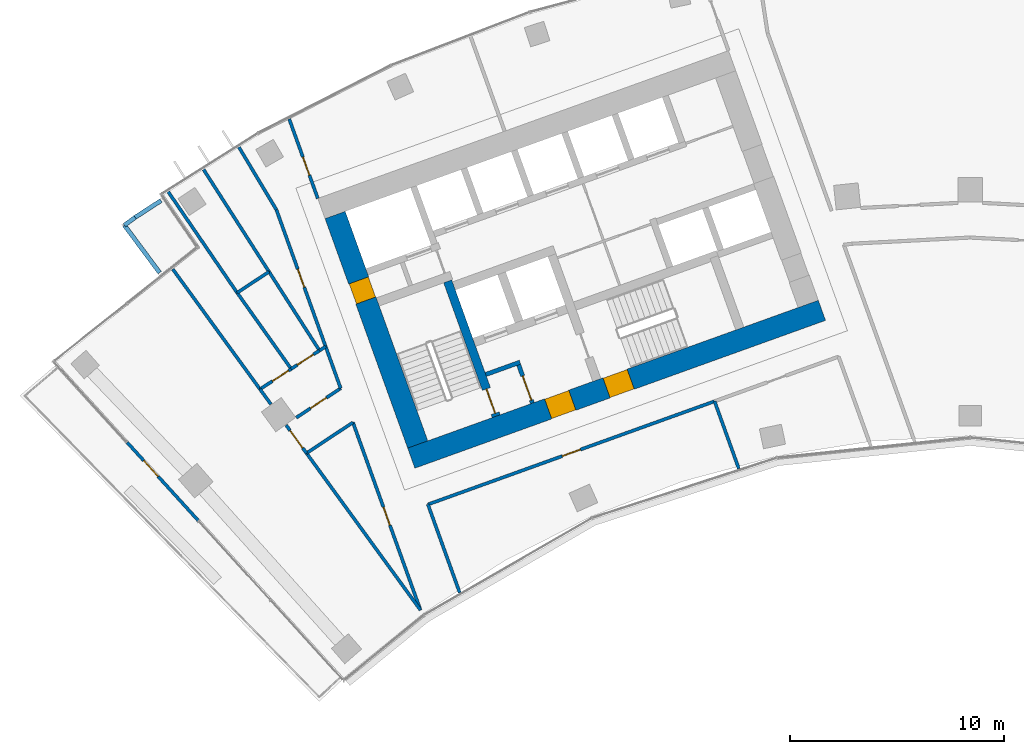
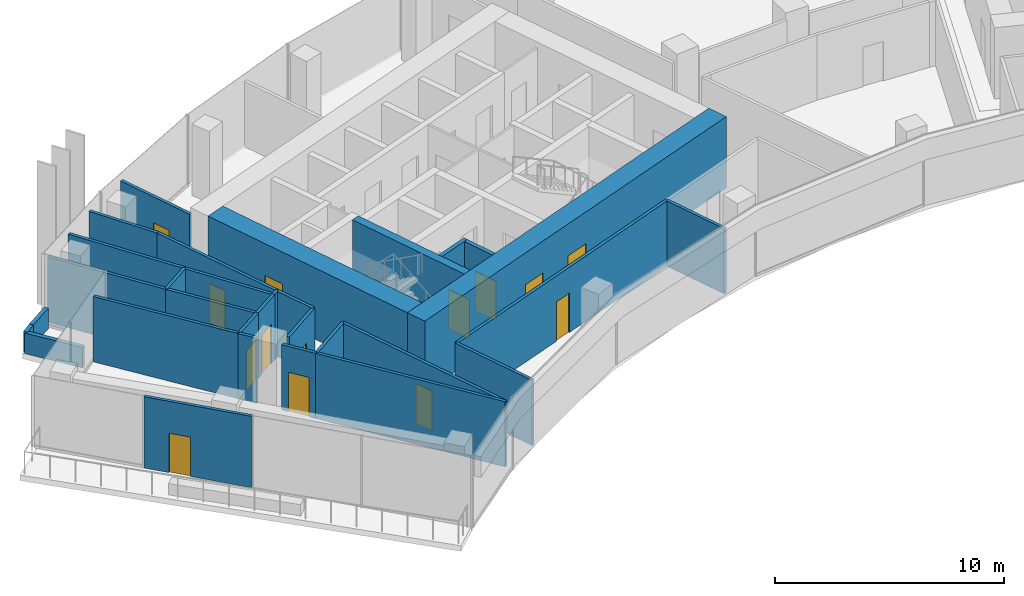
# One storey, part 12 of 19: 31 walls, 14 doors, 14 openings.
"""IFC4 building model written with IfcOpenShell, lengths in metres."""

from ifc_helpers import new_model, si_unit, direction, frame, frame_2d, origin, place, context, subcontext, project, spatial, rectangle, extrude, material, layer, layer_set, type_object, element, fill, save


model = new_model("IFC4")

# Units and contexts
model_context = context("Model", 3, precision=1e-05, world=origin(), true_north=direction((0.0, 1.0)))
body_context = subcontext(model_context, "Body", "Model", "MODEL_VIEW")
ifc_project = project(units=[si_unit("LENGTHUNIT", "METRE"), si_unit("AREAUNIT", "SQUARE_METRE"), si_unit("VOLUMEUNIT", "CUBIC_METRE"), si_unit("PLANEANGLEUNIT", "RADIAN"), si_unit("MASSUNIT", "GRAM", prefix="KILO")], contexts=[model_context])

# Site, building, storey
site_placement = place(None, origin())
site = spatial("IfcSite", under=ifc_project, at=site_placement, CompositionType="ELEMENT")
building_placement = place(site_placement, origin())
building = spatial("IfcBuilding", under=site, at=building_placement, Name="Stone Belt Terrace Tower", CompositionType="ELEMENT")
storey_placement = place(building_placement, frame((0.0, 0.0, 227.60009765625)))
storey = spatial("IfcBuildingStorey", under=building, at=storey_placement, Name="L55", CompositionType="ELEMENT", Elevation=227.60009765625)

# Wall, opening, door
ifc_material_1 = material(Name="Terracotta coloured glazed ceramic", Category="masonry")
ifc_layer_1 = layer(ifc_material_1, 0.14990234375)
ifc_layer_set_1 = layer_set([ifc_layer_1], Name="Ceramic rain-screen wall 150")
wall_type_1 = type_object("IfcWallType", Name="Ceramic rain-screen wall 150", PredefinedType="SOLIDWALL", material=ifc_layer_set_1)
wall_1_placement = place(storey_placement, frame((-39.402587890625, 43.199462890625, 0.0), z_axis=(0.0, 0.0, 1.0), x_axis=(0.672960545532, -0.739678378863, 0.0)))
wall_1 = element("IfcWall", 1, at=wall_1_placement, inside=storey, type_object=wall_type_1, Name="Door wall L55", PredefinedType="SOLIDWALL", context=body_context, shape_type="SweptSolid", body=[
    extrude(rectangle(XDim=4.93994140625, YDim=0.14990234375, at=frame_2d((2.469970703125, 0.0))), origin(), (0.0, 0.0, 1.0), 3.7998046875),
])
opening_1_placement = place(wall_1_placement, frame((1.14990234375, 0.0, 0.0)))
opening_1 = element("IfcOpeningElement", 2, at=opening_1_placement, cuts=wall_1, Name="Opening L55-E01", PredefinedType="OPENING", context=body_context, shape_type="SweptSolid", body=[
    extrude(rectangle(XDim=1.0, YDim=2.10009765625, at=frame_2d((0.5, 1.050048828125))), frame((0.0, 0.0849609375, 0.0), z_axis=(0.0, -1.0, 0.0), x_axis=(1.0, 0.0, 0.0)), (0.0, 0.0, 1.0), 0.169921875),
])
ifc_material_2 = material(Name="Anodised aluminium glazed door", Category="aluminium")
door_type_1 = type_object("IfcDoorType", Name="Terrace door 1000 x 2100", OperationType="NOTDEFINED", PredefinedType="DOOR", material=ifc_material_2)
door_1_placement = place(opening_1_placement, origin())
door_1 = element("IfcDoor", 3, at=door_1_placement, inside=storey, type_object=door_type_1, Name="Terrace door L55", OperationType="SINGLE_SWING_RIGHT", OverallHeight=2.10009765625, OverallWidth=1.0, PredefinedType="DOOR", context=body_context, shape_type="SweptSolid", body=[
    extrude(rectangle(XDim=1.0, YDim=2.10009765625, at=frame_2d((0.5, 1.050048828125))), frame((0.0, 0.02490234375, 0.0), z_axis=(0.0, -1.0, 0.0), x_axis=(1.0, 0.0, 0.0)), (0.0, 0.0, 1.0), 0.050048828125),
])
fill(opening_1, door_1)

# Wall, openings, doors
ifc_material_3 = material(Name="Concrete B60", Category="concrete")
ifc_layer_2 = layer(ifc_material_3, 1.0)
ifc_layer_set_2 = layer_set([ifc_layer_2], Name="Core wall 1000 B60")
wall_type_2 = type_object("IfcWallType", Name="Core wall 1000 B60", PredefinedType="SHEAR", material=ifc_layer_set_2)
wall_2_placement = place(storey_placement, frame((-26.122314453125, 42.462890625, 0.0), z_axis=(0.0, 0.0, 1.0), x_axis=(0.940921428504, 0.338624962727, 0.0)))
wall_2 = element("IfcWall", 4, at=wall_2_placement, inside=storey, type_object=wall_type_2, Name="Core A wall concave L55", PredefinedType="SHEAR", context=body_context, shape_type="SweptSolid", body=[
    extrude(rectangle(XDim=20.400146484375, YDim=1.0, at=frame_2d((10.2001953125, 0.0))), origin(), (0.0, 0.0, 1.0), 3.7998046875),
])
opening_2_placement = place(wall_2_placement, frame((6.800048828125, 0.0, 0.0)))
opening_2 = element("IfcOpeningElement", 5, at=opening_2_placement, cuts=wall_2, Name="Opening L55-C10", PredefinedType="OPENING", context=body_context, shape_type="SweptSolid", body=[
    extrude(rectangle(XDim=1.199951171875, YDim=2.10009765625, at=frame_2d((0.60009765625, 1.050048828125))), frame((0.0, 0.510009765625, 0.0), z_axis=(0.0, -1.0, 0.0), x_axis=(1.0, 0.0, 0.0)), (0.0, 0.0, 1.0), 1.02001953125),
])
opening_3_placement = place(wall_2_placement, frame((9.699951171875, 0.0, 0.0)))
opening_3 = element("IfcOpeningElement", 6, at=opening_3_placement, cuts=wall_2, Name="Opening L55-C12", PredefinedType="OPENING", context=body_context, shape_type="SweptSolid", body=[
    extrude(rectangle(XDim=1.199951171875, YDim=2.10009765625, at=frame_2d((0.60009765625, 1.050048828125))), frame((0.0, 0.510009765625, 0.0), z_axis=(0.0, -1.0, 0.0), x_axis=(1.0, 0.0, 0.0)), (0.0, 0.0, 1.0), 1.02001953125),
])
ifc_material_4 = material(Name="Steel door leaf", Category="steel")
door_type_2 = type_object("IfcDoorType", Name="Fire-fighting lobby door 1200", OperationType="SINGLE_SWING_LEFT", PredefinedType="DOOR", material=ifc_material_4)
door_2_placement = place(opening_2_placement, origin())
door_2 = element("IfcDoor", 7, at=door_2_placement, inside=storey, type_object=door_type_2, Name="Fire-fighting lobby door core A", OperationType="SINGLE_SWING_LEFT", OverallHeight=2.10009765625, OverallWidth=1.199951171875, PredefinedType="DOOR", context=body_context, shape_type="SweptSolid", body=[
    extrude(rectangle(XDim=1.199951171875, YDim=2.10009765625, at=frame_2d((0.60009765625, 1.050048828125))), frame((0.0, 0.47998046875, 0.0), z_axis=(0.0, -1.0, 0.0), x_axis=(1.0, 0.0, 0.0)), (0.0, 0.0, 1.0), 0.9599609375),
])
fill(opening_2, door_2)
door_type_3 = type_object("IfcDoorType", Name="Stair door 1200", OperationType="SINGLE_SWING_LEFT", PredefinedType="DOOR", material=ifc_material_4)
door_3_placement = place(opening_3_placement, origin())
door_3 = element("IfcDoor", 8, at=door_3_placement, inside=storey, type_object=door_type_3, Name="Stair 2 exit door core A", OperationType="SINGLE_SWING_RIGHT", OverallHeight=2.10009765625, OverallWidth=1.199951171875, PredefinedType="DOOR", context=body_context, shape_type="SweptSolid", body=[
    extrude(rectangle(XDim=1.199951171875, YDim=2.10009765625, at=frame_2d((0.60009765625, 1.050048828125))), frame((0.0, 0.47998046875, 0.0), z_axis=(0.0, -1.0, 0.0), x_axis=(1.0, 0.0, 0.0)), (0.0, 0.0, 1.0), 0.9599609375),
])
fill(opening_3, door_3)

# Wall, opening, door
wall_3_placement = place(storey_placement, frame((-25.821044921875, 43.102783203125, 0.0), z_axis=(0.0, 0.0, 1.0), x_axis=(-0.338625431531, 0.940921259788, 0.0)))
wall_3 = element("IfcWall", 9, at=wall_3_placement, inside=storey, type_object=wall_type_2, Name="Core A wall end_a L55", PredefinedType="SHEAR", context=body_context, shape_type="SweptSolid", body=[
    extrude(rectangle(XDim=11.400146484375, YDim=1.0, at=frame_2d((5.7001953125, 0.0))), origin(), (0.0, 0.0, 1.0), 3.7998046875),
])
opening_4_placement = place(wall_3_placement, frame((7.14990234375, 0.0, 0.0)))
opening_4 = element("IfcOpeningElement", 10, at=opening_4_placement, cuts=wall_3, Name="Opening L55-C04", PredefinedType="OPENING", context=body_context, shape_type="SweptSolid", body=[
    extrude(rectangle(XDim=1.0, YDim=2.10009765625, at=frame_2d((0.5, 1.050048828125))), frame((0.0, 0.510009765625, 0.0), z_axis=(0.0, -1.0, 0.0), x_axis=(1.0, 0.0, 0.0)), (0.0, 0.0, 1.0), 1.02001953125),
])
ifc_material_5 = material(Name="Timber door leaf", Category="wood")
door_type_4 = type_object("IfcDoorType", Name="Core room door 1000", OperationType="SINGLE_SWING_LEFT", PredefinedType="DOOR", material=ifc_material_5)
door_4_placement = place(opening_4_placement, origin())
door_4 = element("IfcDoor", 11, at=door_4_placement, inside=storey, type_object=door_type_4, Name="Door to Telecommunications riser room core A", OperationType="SINGLE_SWING_RIGHT", OverallHeight=2.10009765625, OverallWidth=1.0, PredefinedType="DOOR", context=body_context, shape_type="SweptSolid", body=[
    extrude(rectangle(XDim=1.0, YDim=2.10009765625, at=frame_2d((0.5, 1.050048828125))), frame((0.0, 0.47021484375, 0.0), z_axis=(0.0, -1.0, 0.0), x_axis=(1.0, 0.0, 0.0)), (0.0, 0.0, 1.0), 0.949951171875),
])
fill(opening_4, door_4)

# Wall
ifc_material_6 = material(Name="Gypsum board partition")
ifc_layer_3 = layer(ifc_material_6, 0.14990234375)
ifc_layer_set_3 = layer_set([ifc_layer_3], Name="PARTITION 150 EI 60")
wall_type_3 = type_object("IfcWallType", Name="PARTITION 150 EI 60", PredefinedType="PARTITIONING", material=ifc_layer_set_3)
wall_4_placement = place(storey_placement, frame((-25.344970703125, 40.304931640625, 0.0), z_axis=(0.0, 0.0, 1.0), x_axis=(0.338603151709, -0.94092927771, 0.0)))
element("IfcWall", 12, at=wall_4_placement, inside=storey, type_object=wall_type_3, Name="L55/wall/i001", PredefinedType="PARTITIONING", context=body_context, shape_type="SweptSolid", body=[
    extrude(rectangle(XDim=4.38525390625, YDim=0.14990234375, at=frame_2d((2.192626953125, 0.0))), origin(), (0.0, 0.0, 1.0), 3.47998046875),
])

# Wall, opening, door
wall_5_placement = place(storey_placement, frame((-31.826904296875, 58.314208984375, 0.0), z_axis=(0.0, 0.0, 1.0), x_axis=(0.338542007836, -0.940951278723, 0.0)))
wall_5 = element("IfcWall", 13, at=wall_5_placement, inside=storey, type_object=wall_type_3, Name="L55/wall/i002", PredefinedType="PARTITIONING", context=body_context, shape_type="SweptSolid", body=[
    extrude(rectangle(XDim=3.946044921875, YDim=0.14990234375, at=frame_2d((1.97314453125, 0.0))), origin(), (0.0, 0.0, 1.0), 3.47998046875),
])
opening_5_placement = place(wall_5_placement, frame((1.889892578125, 0.0, 0.0)))
opening_5 = element("IfcOpeningElement", 14, at=opening_5_placement, cuts=wall_5, Name="Opening D-D4-03", PredefinedType="OPENING", context=body_context, shape_type="SweptSolid", body=[
    extrude(rectangle(XDim=0.89990234375, YDim=2.10009765625, at=frame_2d((0.449951171875, 1.050048828125))), frame((0.0, 0.0849609375, 0.0), z_axis=(0.0, -1.0, 0.0), x_axis=(1.0, 0.0, 0.0)), (0.0, 0.0, 1.0), 0.169921875),
])
door_type_5 = type_object("IfcDoorType", Name="OFFICE DOOR 900 X 2100", OperationType="NOTDEFINED", PredefinedType="DOOR", material=ifc_material_5)
door_5_placement = place(opening_5_placement, origin())
door_5 = element("IfcDoor", 15, at=door_5_placement, inside=storey, type_object=door_type_5, Name="L55/door/i03", OperationType="SINGLE_SWING_RIGHT", OverallHeight=2.10009765625, OverallWidth=0.89990234375, PredefinedType="DOOR", context=body_context, shape_type="SweptSolid", body=[
    extrude(rectangle(XDim=0.89990234375, YDim=2.10009765625, at=frame_2d((0.449951171875, 1.050048828125))), frame((0.0, 0.02490234375, 0.0), z_axis=(0.0, -1.0, 0.0), x_axis=(1.0, 0.0, 0.0)), (0.0, 0.0, 1.0), 0.050048828125),
])
fill(opening_5, door_5)

wall_6_placement = place(storey_placement, frame((-25.69091796875, 35.35791015625, 0.0), z_axis=(0.0, 0.0, 1.0), x_axis=(-0.338657394617, 0.940909756072, 0.0)))
wall_6 = element("IfcWall", 16, at=wall_6_placement, inside=storey, type_object=wall_type_3, Name="L55/wall/i003", PredefinedType="PARTITIONING", context=body_context, shape_type="SweptSolid", body=[
    extrude(rectangle(XDim=9.33154296875, YDim=0.14990234375, at=frame_2d((4.665771484375, 0.0))), origin(), (0.0, 0.0, 1.0), 3.47998046875),
])
opening_6_placement = place(wall_6_placement, frame((4.215576171875, 0.0, 0.0)))
opening_6 = element("IfcOpeningElement", 17, at=opening_6_placement, cuts=wall_6, Name="Opening D-D4-10", PredefinedType="OPENING", context=body_context, shape_type="SweptSolid", body=[
    extrude(rectangle(XDim=0.89990234375, YDim=2.10009765625, at=frame_2d((0.449951171875, 1.050048828125))), frame((0.0, 0.0849609375, 0.0), z_axis=(0.0, -1.0, 0.0), x_axis=(1.0, 0.0, 0.0)), (0.0, 0.0, 1.0), 0.169921875),
])
door_6_placement = place(opening_6_placement, origin())
door_6 = element("IfcDoor", 18, at=door_6_placement, inside=storey, type_object=door_type_5, Name="L55/door/i10", OperationType="SINGLE_SWING_RIGHT", OverallHeight=2.10009765625, OverallWidth=0.89990234375, PredefinedType="DOOR", context=body_context, shape_type="SweptSolid", body=[
    extrude(rectangle(XDim=0.89990234375, YDim=2.10009765625, at=frame_2d((0.449951171875, 1.050048828125))), frame((0.0, 0.02490234375, 0.0), z_axis=(0.0, -1.0, 0.0), x_axis=(1.0, 0.0, 0.0)), (0.0, 0.0, 1.0), 0.050048828125),
])
fill(opening_6, door_6)

# Wall
wall_7_placement = place(storey_placement, frame((-29.4208984375, 45.721923828125, 0.0), z_axis=(0.0, 0.0, 1.0), x_axis=(-0.33843352279, 0.940990303166, 0.0)))
element("IfcWall", 19, at=wall_7_placement, inside=storey, type_object=wall_type_3, Name="L55/wall/i004", PredefinedType="PARTITIONING", context=body_context, shape_type="SweptSolid", body=[
    extrude(rectangle(XDim=2.086181640625, YDim=0.14990234375, at=frame_2d((1.04296875, 0.0))), origin(), (0.0, 0.0, 1.0), 3.47998046875),
])

# Wall, opening, door
wall_8_placement = place(storey_placement, frame((-30.123046875, 47.673095703125, 0.0), z_axis=(0.0, 0.0, 1.0), x_axis=(-0.338708034587, 0.940891527917, 0.0)))
wall_8 = element("IfcWall", 20, at=wall_8_placement, inside=storey, type_object=wall_type_3, Name="L55/wall/i005", PredefinedType="PARTITIONING", context=body_context, shape_type="SweptSolid", body=[
    extrude(rectangle(XDim=6.80517578125, YDim=0.14990234375, at=frame_2d((3.402587890625, 0.0))), origin(), (0.0, 0.0, 1.0), 3.47998046875),
])
opening_7_placement = place(wall_8_placement, frame((2.95263671875, 0.0, 0.0)))
opening_7 = element("IfcOpeningElement", 21, at=opening_7_placement, cuts=wall_8, Name="Opening D-D4-14", PredefinedType="OPENING", context=body_context, shape_type="SweptSolid", body=[
    extrude(rectangle(XDim=0.89990234375, YDim=2.10009765625, at=frame_2d((0.449951171875, 1.050048828125))), frame((0.0, 0.0849609375, 0.0), z_axis=(0.0, -1.0, 0.0), x_axis=(1.0, 0.0, 0.0)), (0.0, 0.0, 1.0), 0.169921875),
])
door_7_placement = place(opening_7_placement, origin())
door_7 = element("IfcDoor", 22, at=door_7_placement, inside=storey, type_object=door_type_5, Name="L55/door/i14", OperationType="SINGLE_SWING_RIGHT", OverallHeight=2.10009765625, OverallWidth=0.89990234375, PredefinedType="DOOR", context=body_context, shape_type="SweptSolid", body=[
    extrude(rectangle(XDim=0.89990234375, YDim=2.10009765625, at=frame_2d((0.449951171875, 1.050048828125))), frame((0.0, 0.02490234375, 0.0), z_axis=(0.0, -1.0, 0.0), x_axis=(1.0, 0.0, 0.0)), (0.0, 0.0, 1.0), 0.050048828125),
])
fill(opening_7, door_7)

# Wall
wall_9_placement = place(storey_placement, frame((-32.427978515625, 54.075927734375, 0.0), z_axis=(0.0, 0.0, 1.0), x_axis=(-0.514137974797, 0.857707492606, 0.0)))
element("IfcWall", 23, at=wall_9_placement, inside=storey, type_object=wall_type_3, Name="L55/wall/i006", PredefinedType="PARTITIONING", context=body_context, shape_type="SweptSolid", body=[
    extrude(rectangle(XDim=3.412353515625, YDim=0.14990234375, at=frame_2d((1.7060546875, 0.0))), origin(), (0.0, 0.0, 1.0), 3.47998046875),
])

# Wall, opening, door
wall_10_placement = place(storey_placement, frame((-11.93896484375, 45.123046875, 0.0), z_axis=(0.0, 0.0, 1.0), x_axis=(-0.940920615009, -0.338627223138, 0.0)))
wall_10 = element("IfcWall", 24, at=wall_10_placement, inside=storey, type_object=wall_type_3, Name="L55/wall/i012", PredefinedType="PARTITIONING", context=body_context, shape_type="SweptSolid", body=[
    extrude(rectangle(XDim=14.24560546875, YDim=0.14990234375, at=frame_2d((7.122802734375, 0.0))), origin(), (0.0, 0.0, 1.0), 3.47998046875),
])
opening_8_placement = place(wall_10_placement, frame((6.6728515625, 0.0, 0.0)))
opening_8 = element("IfcOpeningElement", 25, at=opening_8_placement, cuts=wall_10, Name="Opening D-D4-01", PredefinedType="OPENING", context=body_context, shape_type="SweptSolid", body=[
    extrude(rectangle(XDim=0.89990234375, YDim=2.10009765625, at=frame_2d((0.449951171875, 1.050048828125))), frame((0.0, 0.0849609375, 0.0), z_axis=(0.0, -1.0, 0.0), x_axis=(1.0, 0.0, 0.0)), (0.0, 0.0, 1.0), 0.169921875),
])
door_8_placement = place(opening_8_placement, origin())
door_8 = element("IfcDoor", 26, at=door_8_placement, inside=storey, type_object=door_type_5, Name="L55/door/i01", OperationType="SINGLE_SWING_RIGHT", OverallHeight=2.10009765625, OverallWidth=0.89990234375, PredefinedType="DOOR", context=body_context, shape_type="SweptSolid", body=[
    extrude(rectangle(XDim=0.89990234375, YDim=2.10009765625, at=frame_2d((0.449951171875, 1.050048828125))), frame((0.0, 0.02490234375, 0.0), z_axis=(0.0, -1.0, 0.0), x_axis=(1.0, 0.0, 0.0)), (0.0, 0.0, 1.0), 0.050048828125),
])
fill(opening_8, door_8)

# Wall
wall_11_placement = place(storey_placement, frame((-11.945068359375, 45.12109375, 0.0), z_axis=(0.0, 0.0, 1.0), x_axis=(0.338546245332, -0.940949754116, 0.0)))
element("IfcWall", 27, at=wall_11_placement, inside=storey, type_object=wall_type_3, Name="L55/wall/i014", PredefinedType="PARTITIONING", context=body_context, shape_type="SweptSolid", body=[
    extrude(rectangle(XDim=3.343994140625, YDim=0.14990234375, at=frame_2d((1.671875, 0.0))), origin(), (0.0, 0.0, 1.0), 3.47998046875),
])

# Wall, opening, door
wall_12_placement = place(storey_placement, frame((-31.01708984375, 42.69091796875, 0.0), z_axis=(0.0, 0.0, 1.0), x_axis=(-0.587287414007, 0.809378461135, 0.0)))
wall_12 = element("IfcWall", 28, at=wall_12_placement, inside=storey, type_object=wall_type_3, Name="L55/wall/i032", PredefinedType="PARTITIONING", context=body_context, shape_type="SweptSolid", body=[
    extrude(rectangle(XDim=1.625732421875, YDim=0.14990234375, at=frame_2d((0.81298828125, 0.0))), origin(), (0.0, 0.0, 1.0), 3.47998046875),
])
opening_9_placement = place(wall_12_placement, frame((0.31298828125, 0.0, 0.0)))
opening_9 = element("IfcOpeningElement", 29, at=opening_9_placement, cuts=wall_12, Name="Opening D-D4-09", PredefinedType="OPENING", context=body_context, shape_type="SweptSolid", body=[
    extrude(rectangle(XDim=1.0, YDim=2.10009765625, at=frame_2d((0.5, 1.050048828125))), frame((0.0, 0.0849609375, 0.0), z_axis=(0.0, -1.0, 0.0), x_axis=(1.0, 0.0, 0.0)), (0.0, 0.0, 1.0), 0.169921875),
])
ifc_material_7 = material(Name="Timber fire door leaf", Category="wood")
door_type_6 = type_object("IfcDoorType", Name="TENANCY ENTRANCE DOOR 1000 X 2100", OperationType="NOTDEFINED", PredefinedType="DOOR", material=ifc_material_7)
door_9_placement = place(opening_9_placement, origin())
door_9 = element("IfcDoor", 30, at=door_9_placement, inside=storey, type_object=door_type_6, Name="L55/door/i09", OperationType="SINGLE_SWING_RIGHT", OverallHeight=2.10009765625, OverallWidth=1.0, PredefinedType="DOOR", context=body_context, shape_type="SweptSolid", body=[
    extrude(rectangle(XDim=1.0, YDim=2.10009765625, at=frame_2d((0.5, 1.050048828125))), frame((0.0, 0.02490234375, 0.0), z_axis=(0.0, -1.0, 0.0), x_axis=(1.0, 0.0, 0.0)), (0.0, 0.0, 1.0), 0.050048828125),
])
fill(opening_9, door_9)

# Walls
wall_13_placement = place(storey_placement, frame((-31.02294921875, 42.700927734375, 0.0), z_axis=(0.0, 0.0, 1.0), x_axis=(0.587731401544, -0.809056116495, 0.0)))
element("IfcWall", 31, at=wall_13_placement, inside=storey, type_object=wall_type_3, Name="L55/wall/i033", PredefinedType="PARTITIONING", context=body_context, shape_type="SweptSolid", body=[
    extrude(rectangle(XDim=9.068603515625, YDim=0.14990234375, at=frame_2d((4.5341796875, 0.0))), origin(), (0.0, 0.0, 1.0), 3.47998046875),
])
wall_14_placement = place(storey_placement, frame((-33.197021484375, 45.69091796875, 0.0), z_axis=(0.0, 0.0, 1.0), x_axis=(0.587888822877, -0.808941735811, 0.0)))
element("IfcWall", 32, at=wall_14_placement, inside=storey, type_object=wall_type_3, Name="L55/wall/i034", PredefinedType="PARTITIONING", context=body_context, shape_type="SweptSolid", body=[
    extrude(rectangle(XDim=0.87255859375, YDim=0.14990234375, at=frame_2d((0.436279296875, 0.0))), origin(), (0.0, 0.0, 1.0), 3.47998046875),
])
wall_15_placement = place(storey_placement, frame((-37.270751953125, 51.298828125, 0.0), z_axis=(0.0, 0.0, 1.0), x_axis=(0.587772272886, -0.809026424307, 0.0)))
element("IfcWall", 33, at=wall_15_placement, inside=storey, type_object=wall_type_3, Name="L55/wall/i035", PredefinedType="PARTITIONING", context=body_context, shape_type="SweptSolid", body=[
    extrude(rectangle(XDim=6.94287109375, YDim=0.14990234375, at=frame_2d((3.471435546875, 0.0))), origin(), (0.0, 0.0, 1.0), 3.47998046875),
])
wall_16_placement = place(storey_placement, frame((-28.84912109375, 44.132080078125, 0.0), z_axis=(0.0, 0.0, 1.0), x_axis=(-0.834036299229, -0.551709571757, 0.0)))
element("IfcWall", 34, at=wall_16_placement, inside=storey, type_object=wall_type_3, Name="L55/wall/i036", PredefinedType="PARTITIONING", context=body_context, shape_type="SweptSolid", body=[
    extrude(rectangle(XDim=2.602783203125, YDim=0.14990234375, at=frame_2d((1.30126953125, 0.0))), origin(), (0.0, 0.0, 1.0), 3.47998046875),
])

# Wall, opening, door
wall_17_placement = place(storey_placement, frame((-31.49755859375, 44.3564453125, 0.0), z_axis=(0.0, 0.0, 1.0), x_axis=(0.834158700869, 0.551524488817, 0.0)))
wall_17 = element("IfcWall", 35, at=wall_17_placement, inside=storey, type_object=wall_type_3, Name="L55/wall/i037", PredefinedType="PARTITIONING", context=body_context, shape_type="SweptSolid", body=[
    extrude(rectangle(XDim=2.48681640625, YDim=0.14990234375, at=frame_2d((1.243408203125, 0.0))), origin(), (0.0, 0.0, 1.0), 3.47998046875),
])
opening_10_placement = place(wall_17_placement, frame((0.79345703125, 0.0, 0.0)))
opening_10 = element("IfcOpeningElement", 36, at=opening_10_placement, cuts=wall_17, Name="Opening D-D4-11", PredefinedType="OPENING", context=body_context, shape_type="SweptSolid", body=[
    extrude(rectangle(XDim=0.89990234375, YDim=2.10009765625, at=frame_2d((0.449951171875, 1.050048828125))), frame((0.0, 0.0849609375, 0.0), z_axis=(0.0, -1.0, 0.0), x_axis=(1.0, 0.0, 0.0)), (0.0, 0.0, 1.0), 0.169921875),
])
door_10_placement = place(opening_10_placement, origin())
door_10 = element("IfcDoor", 37, at=door_10_placement, inside=storey, type_object=door_type_5, Name="L55/door/i11", OperationType="SINGLE_SWING_RIGHT", OverallHeight=2.10009765625, OverallWidth=0.89990234375, PredefinedType="DOOR", context=body_context, shape_type="SweptSolid", body=[
    extrude(rectangle(XDim=0.89990234375, YDim=2.10009765625, at=frame_2d((0.449951171875, 1.050048828125))), frame((0.0, 0.02490234375, 0.0), z_axis=(0.0, -1.0, 0.0), x_axis=(1.0, 0.0, 0.0)), (0.0, 0.0, 1.0), 0.050048828125),
])
fill(opening_10, door_10)

wall_18_placement = place(storey_placement, frame((-33.193115234375, 45.68701171875, 0.0), z_axis=(0.0, 0.0, 1.0), x_axis=(0.83876621414, 0.54449172447, 0.0)))
wall_18 = element("IfcWall", 38, at=wall_18_placement, inside=storey, type_object=wall_type_3, Name="L55/wall/i038", PredefinedType="PARTITIONING", context=body_context, shape_type="SweptSolid", body=[
    extrude(rectangle(XDim=1.74560546875, YDim=0.14990234375, at=frame_2d((0.872802734375, 0.0))), origin(), (0.0, 0.0, 1.0), 3.47998046875),
])
opening_11_placement = place(wall_18_placement, frame((0.695556640625, 0.0, 0.0)))
opening_11 = element("IfcOpeningElement", 39, at=opening_11_placement, cuts=wall_18, Name="Opening D-D4-12", PredefinedType="OPENING", context=body_context, shape_type="SweptSolid", body=[
    extrude(rectangle(XDim=0.89990234375, YDim=2.10009765625, at=frame_2d((0.449951171875, 1.050048828125))), frame((0.0, 0.0849609375, 0.0), z_axis=(0.0, -1.0, 0.0), x_axis=(1.0, 0.0, 0.0)), (0.0, 0.0, 1.0), 0.169921875),
])
door_11_placement = place(opening_11_placement, origin())
door_11 = element("IfcDoor", 40, at=door_11_placement, inside=storey, type_object=door_type_5, Name="L55/door/i12", OperationType="SINGLE_SWING_RIGHT", OverallHeight=2.10009765625, OverallWidth=0.89990234375, PredefinedType="DOOR", context=body_context, shape_type="SweptSolid", body=[
    extrude(rectangle(XDim=0.89990234375, YDim=2.10009765625, at=frame_2d((0.449951171875, 1.050048828125))), frame((0.0, 0.02490234375, 0.0), z_axis=(0.0, -1.0, 0.0), x_axis=(1.0, 0.0, 0.0)), (0.0, 0.0, 1.0), 0.050048828125),
])
fill(opening_11, door_11)

wall_19_placement = place(storey_placement, frame((-31.739013671875, 46.631591796875, 0.0), z_axis=(0.0, 0.0, 1.0), x_axis=(0.838822772434, 0.544404588928, 0.0)))
wall_19 = element("IfcWall", 41, at=wall_19_placement, inside=storey, type_object=wall_type_3, Name="L55/wall/i039", PredefinedType="PARTITIONING", context=body_context, shape_type="SweptSolid", body=[
    extrude(rectangle(XDim=1.587890625, YDim=0.14990234375, at=frame_2d((0.7939453125, 0.0))), origin(), (0.0, 0.0, 1.0), 3.47998046875),
])
opening_12_placement = place(wall_19_placement, frame((0.343994140625, 0.0, 0.0)))
opening_12 = element("IfcOpeningElement", 42, at=opening_12_placement, cuts=wall_19, Name="Opening D-D4-13", PredefinedType="OPENING", context=body_context, shape_type="SweptSolid", body=[
    extrude(rectangle(XDim=0.89990234375, YDim=2.10009765625, at=frame_2d((0.449951171875, 1.050048828125))), frame((0.0, 0.0849609375, 0.0), z_axis=(0.0, -1.0, 0.0), x_axis=(1.0, 0.0, 0.0)), (0.0, 0.0, 1.0), 0.169921875),
])
door_12_placement = place(opening_12_placement, origin())
door_12 = element("IfcDoor", 43, at=door_12_placement, inside=storey, type_object=door_type_5, Name="L55/door/i13", OperationType="SINGLE_SWING_RIGHT", OverallHeight=2.10009765625, OverallWidth=0.89990234375, PredefinedType="DOOR", context=body_context, shape_type="SweptSolid", body=[
    extrude(rectangle(XDim=0.89990234375, YDim=2.10009765625, at=frame_2d((0.449951171875, 1.050048828125))), frame((0.0, 0.02490234375, 0.0), z_axis=(0.0, -1.0, 0.0), x_axis=(1.0, 0.0, 0.0)), (0.0, 0.0, 1.0), 0.050048828125),
])
fill(opening_12, door_12)

# Walls
wall_20_placement = place(storey_placement, frame((-30.4169921875, 47.489990234375, 0.0), z_axis=(0.0, 0.0, 1.0), x_axis=(0.839532489511, 0.543309487359, 0.0)))
element("IfcWall", 44, at=wall_20_placement, inside=storey, type_object=wall_type_3, Name="L55/wall/i040", PredefinedType="PARTITIONING", context=body_context, shape_type="SweptSolid", body=[
    extrude(rectangle(XDim=0.347900390625, YDim=0.14990234375, at=frame_2d((0.173828125, 0.0))), origin(), (0.0, 0.0, 1.0), 3.47998046875),
])
wall_21_placement = place(storey_placement, frame((-34.262939453125, 50.197998046875, 0.0), z_axis=(0.0, 0.0, 1.0), x_axis=(0.578661916565, -0.81556752407, 0.0)))
element("IfcWall", 45, at=wall_21_placement, inside=storey, type_object=wall_type_3, Name="L55/wall/i041", PredefinedType="PARTITIONING", context=body_context, shape_type="SweptSolid", body=[
    extrude(rectangle(XDim=4.37060546875, YDim=0.14990234375, at=frame_2d((2.185302734375, 0.0))), origin(), (0.0, 0.0, 1.0), 3.47998046875),
])
wall_22_placement = place(storey_placement, frame((-37.484375, 54.91650390625, 0.0), z_axis=(0.0, 0.0, 1.0), x_axis=(0.563731096183, -0.825958383453, 0.0)))
element("IfcWall", 46, at=wall_22_placement, inside=storey, type_object=wall_type_3, Name="L55/wall/i042", PredefinedType="PARTITIONING", context=body_context, shape_type="SweptSolid", body=[
    extrude(rectangle(XDim=5.724853515625, YDim=0.14990234375, at=frame_2d((2.8623046875, 0.0))), origin(), (0.0, 0.0, 1.0), 3.47998046875),
])
wall_23_placement = place(storey_placement, frame((-34.260009765625, 50.193115234375, 0.0), z_axis=(0.0, 0.0, 1.0), x_axis=(0.83414980876, 0.55153793754, 0.0)))
element("IfcWall", 47, at=wall_23_placement, inside=storey, type_object=wall_type_3, Name="L55/wall/i043", PredefinedType="PARTITIONING", context=body_context, shape_type="SweptSolid", body=[
    extrude(rectangle(XDim=1.783935546875, YDim=0.14990234375, at=frame_2d((0.89208984375, 0.0))), origin(), (0.0, 0.0, 1.0), 3.47998046875),
])
wall_24_placement = place(storey_placement, frame((-32.77197265625, 51.177001953125, 0.0), z_axis=(0.0, 0.0, 1.0), x_axis=(0.539386188695, -0.842058513077, 0.0)))
element("IfcWall", 48, at=wall_24_placement, inside=storey, type_object=wall_type_3, Name="L55/wall/i044", PredefinedType="PARTITIONING", context=body_context, shape_type="SweptSolid", body=[
    extrude(rectangle(XDim=4.375, YDim=0.14990234375, at=frame_2d((2.1875, 0.0))), origin(), (0.0, 0.0, 1.0), 3.47998046875),
])
wall_25_placement = place(storey_placement, frame((-35.833984375, 55.959228515625, 0.0), z_axis=(0.0, 0.0, 1.0), x_axis=(0.539226928629, -0.842160506935, 0.0)))
element("IfcWall", 49, at=wall_25_placement, inside=storey, type_object=wall_type_3, Name="L55/wall/i045", PredefinedType="PARTITIONING", context=body_context, shape_type="SweptSolid", body=[
    extrude(rectangle(XDim=5.678466796875, YDim=0.14990234375, at=frame_2d((2.83935546875, 0.0))), origin(), (0.0, 0.0, 1.0), 3.47998046875),
])
ifc_material_8 = material(Name="Concrete masonry block", Category="masonry")
ifc_layer_4 = layer(ifc_material_8, 0.199951171875)
ifc_layer_set_4 = layer_set([ifc_layer_4], Name="Rated lobby wall 200")
wall_type_4 = type_object("IfcWallType", Name="Rated lobby wall 200", PredefinedType="PARTITIONING", material=ifc_layer_set_4)
wall_26_placement = place(storey_placement, frame((-22.640625, 46.373046875, 0.0), z_axis=(0.0, 0.0, 1.0), x_axis=(0.940966110313, 0.338500781747, 0.0)))
element("IfcWall", 50, at=wall_26_placement, inside=storey, type_object=wall_type_4, Name="Core A wall", PredefinedType="PARTITIONING", context=body_context, shape_type="SweptSolid", body=[
    extrude(rectangle(XDim=1.699951171875, YDim=0.199951171875, at=frame_2d((0.85009765625, 0.0))), origin(), (0.0, 0.0, 1.0), 3.47998046875),
])

# Wall, opening, door
wall_27_placement = place(storey_placement, frame((-20.4580078125, 45.032958984375, 0.0), z_axis=(0.0, 0.0, 1.0), x_axis=(-0.338573865316, 0.940939816208, 0.0)))
wall_27 = element("IfcWall", 51, at=wall_27_placement, inside=storey, type_object=wall_type_4, Name="Core A wall", PredefinedType="PARTITIONING", context=body_context, shape_type="SweptSolid", body=[
    extrude(rectangle(XDim=1.900146484375, YDim=0.199951171875, at=frame_2d((0.9501953125, 0.0))), origin(), (0.0, 0.0, 1.0), 3.47998046875),
])
opening_13_placement = place(wall_27_placement, frame((0.14990234375, 0.0, 0.0)))
opening_13 = element("IfcOpeningElement", 52, at=opening_13_placement, cuts=wall_27, Name="Opening L55-C09", PredefinedType="OPENING", context=body_context, shape_type="SweptSolid", body=[
    extrude(rectangle(XDim=1.199951171875, YDim=2.10009765625, at=frame_2d((0.60009765625, 1.050048828125))), frame((0.0, 0.10986328125, 0.0), z_axis=(0.0, -1.0, 0.0), x_axis=(1.0, 0.0, 0.0)), (0.0, 0.0, 1.0), 0.219970703125),
])
door_13_placement = place(opening_13_placement, origin())
door_13 = element("IfcDoor", 53, at=door_13_placement, inside=storey, type_object=door_type_3, Name="Stair airlock door core A", OperationType="SINGLE_SWING_LEFT", OverallHeight=2.10009765625, OverallWidth=1.199951171875, PredefinedType="DOOR", context=body_context, shape_type="SweptSolid", body=[
    extrude(rectangle(XDim=1.199951171875, YDim=2.10009765625, at=frame_2d((0.60009765625, 1.050048828125))), frame((0.0, 0.02490234375, 0.0), z_axis=(0.0, -1.0, 0.0), x_axis=(1.0, 0.0, 0.0)), (0.0, 0.0, 1.0), 0.050048828125),
])
fill(opening_13, door_13)

# Walls
ifc_material_9 = material(Name="Precast concrete C40/50", Category="concrete")
ifc_layer_5 = layer(ifc_material_9, 0.199951171875)
ifc_layer_set_5 = layer_set([ifc_layer_5], Name="Roof parapet 200 x 1100")
wall_type_5 = type_object("IfcWallType", Name="Roof parapet 200 x 1100", PredefinedType="PARAPET", material=ifc_layer_set_5)
wall_28_placement = place(storey_placement, frame((-39.531005859375, 53.349853515625, 0.0), z_axis=(0.0, 0.0, 1.0), x_axis=(0.596527519685, -0.802592622853, 0.0)))
element("IfcWall", 54, at=wall_28_placement, inside=storey, type_object=wall_type_5, Name="PARAPET L55", PredefinedType="PARAPET", context=body_context, shape_type="SweptSolid", body=[
    extrude(rectangle(XDim=2.760498046875, YDim=0.199951171875, at=frame_2d((1.38037109375, 0.0))), origin(), (0.0, 0.0, 1.0), 1.099853515625),
])
wall_29_placement = place(storey_placement, frame((-37.819580078125, 54.50390625, 0.0), z_axis=(0.0, 0.0, 1.0), x_axis=(-0.838648257032, -0.544673389268, 0.0)))
element("IfcWall", 55, at=wall_29_placement, inside=storey, type_object=wall_type_5, Name="PARAPET L55", PredefinedType="PARAPET", context=body_context, shape_type="SweptSolid", body=[
    extrude(rectangle(XDim=1.444091796875, YDim=0.199951171875, at=frame_2d((0.72216796875, 0.0))), origin(), (0.0, 0.0, 1.0), 1.099853515625),
])
wall_30_placement = place(storey_placement, frame((-39.03076171875, 53.71728515625, 0.0), z_axis=(0.0, 0.0, 1.0), x_axis=(-0.805954580638, -0.591977376213, 0.0)))
element("IfcWall", 56, at=wall_30_placement, inside=storey, type_object=wall_type_5, Name="PARAPET L55", PredefinedType="PARAPET", context=body_context, shape_type="SweptSolid", body=[
    extrude(rectangle(XDim=0.62060546875, YDim=0.199951171875, at=frame_2d((0.310302734375, 0.0))), origin(), (0.0, 0.0, 1.0), 1.099853515625),
])

# Wall, opening, door
ifc_material_10 = material(Name="Concrete B80", Category="concrete")
ifc_layer_6 = layer(ifc_material_10, 0.39990234375)
ifc_layer_set_6 = layer_set([ifc_layer_6], Name="Stair enclosure wall 400")
wall_type_6 = type_object("IfcWallType", Name="Stair enclosure wall 400", PredefinedType="SHEAR", material=ifc_layer_set_6)
wall_31_placement = place(storey_placement, frame((-22.151611328125, 44.42333984375, 0.0), z_axis=(0.0, 0.0, 1.0), x_axis=(-0.338625272931, 0.940921316866, 0.0)))
wall_31 = element("IfcWall", 57, at=wall_31_placement, inside=storey, type_object=wall_type_6, Name="Core A wall", PredefinedType="SHEAR", context=body_context, shape_type="SweptSolid", body=[
    extrude(rectangle(XDim=6.699951171875, YDim=0.39990234375, at=frame_2d((3.35009765625, 0.0))), origin(), (0.0, 0.0, 1.0), 3.47998046875),
])
opening_14_placement = place(wall_31_placement, frame((0.14990234375, 0.0, 0.0)))
opening_14 = element("IfcOpeningElement", 58, at=opening_14_placement, cuts=wall_31, Name="Opening L55-C08", PredefinedType="OPENING", context=body_context, shape_type="SweptSolid", body=[
    extrude(rectangle(XDim=1.199951171875, YDim=2.10009765625, at=frame_2d((0.60009765625, 1.050048828125))), frame((0.0, 0.2099609375, 0.0), z_axis=(0.0, -1.0, 0.0), x_axis=(1.0, 0.0, 0.0)), (0.0, 0.0, 1.0), 0.419921875),
])
door_14_placement = place(opening_14_placement, origin())
door_14 = element("IfcDoor", 59, at=door_14_placement, inside=storey, type_object=door_type_3, Name="Stair 1 door core A", OperationType="SINGLE_SWING_LEFT", OverallHeight=2.10009765625, OverallWidth=1.199951171875, PredefinedType="DOOR", context=body_context, shape_type="SweptSolid", body=[
    extrude(rectangle(XDim=1.199951171875, YDim=2.10009765625, at=frame_2d((0.60009765625, 1.050048828125))), frame((0.0, 0.02490234375, 0.0), z_axis=(0.0, -1.0, 0.0), x_axis=(1.0, 0.0, 0.0)), (0.0, 0.0, 1.0), 0.050048828125),
])
fill(opening_14, door_14)

save(model, "model.ifc")
